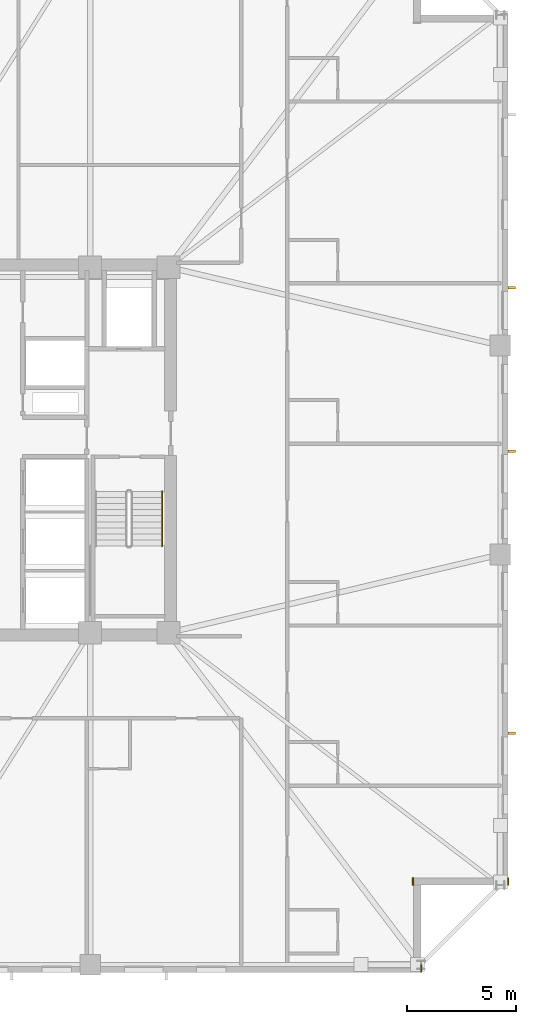
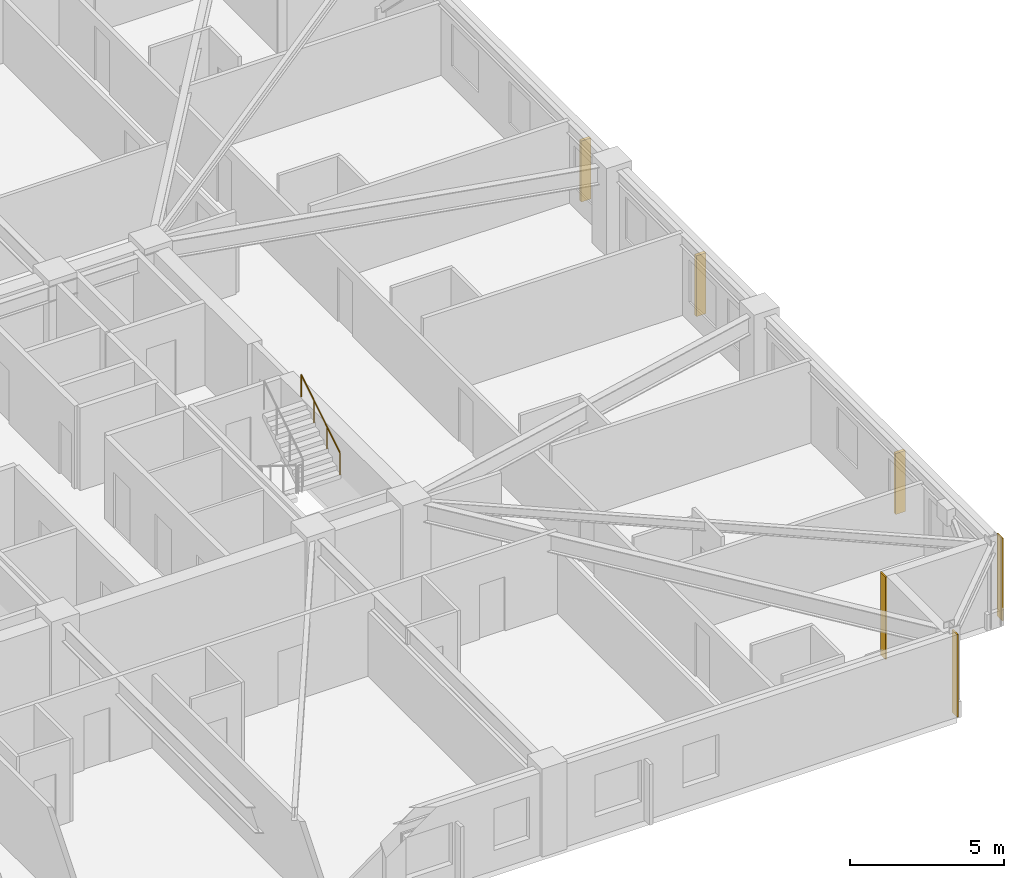
# One storey, part 9 of 11: 3 coverings, 3 shading devices, 1 railing.
"""IFC4 building model written with IfcOpenShell, lengths in metres."""

from ifc_helpers import new_model, si_unit, direction, frame, frame_2d, origin, origin_2d, place, context, subcontext, project, spatial, rectangle, circle, extrude, material, layer, layer_set, type_object, element, save


model = new_model("IFC4")

# Units and contexts
model_context = context("Model", 3, precision=1e-05, world=origin(), true_north=direction((0.0, 1.0)))
body_context = subcontext(model_context, "Body", "Model", "MODEL_VIEW")
ifc_project = project(units=[si_unit("LENGTHUNIT", "METRE"), si_unit("AREAUNIT", "SQUARE_METRE"), si_unit("VOLUMEUNIT", "CUBIC_METRE"), si_unit("PLANEANGLEUNIT", "RADIAN"), si_unit("MASSUNIT", "GRAM", prefix="KILO")], contexts=[model_context])

# Site, building, storey
site_placement = place(None, origin())
site = spatial("IfcSite", under=ifc_project, at=site_placement, CompositionType="ELEMENT")
building_placement = place(site_placement, origin())
building = spatial("IfcBuilding", under=site, at=building_placement, Name="Cairnveth Concourse Tower", CompositionType="ELEMENT")
storey_placement = place(building_placement, frame((0.0, 0.0, 130.5)))
storey = spatial("IfcBuildingStorey", under=building, at=storey_placement, Name="L35", CompositionType="ELEMENT", Elevation=130.5)

# Coverings
ifc_material_1 = material(Name="Dressed Melbourne Bluestone Cladding", Category="masonry")
ifc_layer = layer(ifc_material_1, 0.050048828125)
ifc_layer_set = layer_set([ifc_layer], Name="Dressed Melbourne Bluestone Cladding")
covering_type = type_object("IfcCoveringType", Name="DRESSED BLUESTONE PLINTH CLADDING 50", PredefinedType="CLADDING", material=ifc_layer_set)
for number, where, z_axis, x_axis, name in (
    (1, (76.02001953125, 19.340087890625, 0.0), (0.0, 0.0, 1.0), (0.0, -1.0, 0.0), "Melbourne Bluestone Corner Quoin L35-506"),
    (2, (71.639892578125, 19.340087890625, 0.0), (0.0, 0.0, 1.0), (0.0, -1.0, 0.0), "Melbourne Bluestone Corner Quoin L35-507"),
    (3, (72.02001953125, 15.340087890625, 0.0), (0.0, 0.0, 1.0), (0.0, -1.0, 0.0), "Melbourne Bluestone Corner Quoin L35-508"),
):
    element("IfcCovering", number, at=place(storey_placement, frame(where, z_axis=z_axis, x_axis=x_axis)), inside=storey, type_object=covering_type, Name=name, PredefinedType="CLADDING", context=body_context, shape_type="SweptSolid", body=[
        extrude(rectangle(XDim=0.340087890625, YDim=0.050048828125, at=frame_2d((0.169921875, 0.0))), origin(), (0.0, 0.0, 1.0), 3.280029296875),
    ])

# Shading devices
ifc_material_2 = material(Name="Architectural Bronze Anodised Aluminium 6063-T6", Category="aluminium")
shading_device_type = type_object("IfcShadingDeviceType", Name="GOTHIC BRONZE VERTICAL LANCET FIN", PredefinedType="USERDEFINED", material=ifc_material_2)
for number, where, z_axis, x_axis, name in (
    (4, (76.175048828125, 46.451171875, 0.030029296875), (0.0, 0.0, 1.0), (0.0, 1.0, 0.0), "Gothic Bronze Vertical Fin L35-6-3"),
    (5, (76.175048828125, 38.944091796875, 0.030029296875), (0.0, 0.0, 1.0), (0.0, 1.0, 0.0), "Gothic Bronze Vertical Fin L35-6-5"),
    (6, (76.175048828125, 25.979736328125, 0.030029296875), (0.0, 0.0, 1.0), (0.0, 1.0, 0.0), "Gothic Bronze Vertical Fin L35-6-9"),
):
    element("IfcShadingDevice", number, at=place(storey_placement, frame(where, z_axis=z_axis, x_axis=x_axis)), inside=storey, type_object=shading_device_type, Name=name, ObjectType="VERTICAL FIN", PredefinedType="USERDEFINED", context=body_context, shape_type="SweptSolid", body=[
        extrude(rectangle(XDim=0.1201171875, YDim=0.360107421875, at=origin_2d()), origin(), (0.0, 0.0, 1.0), 2.419921875),
    ])

# Railing
ifc_material_3 = material(Name="Steel Grade 350", Category="steel")
railing_type = type_object("IfcRailingType", Name="STAIR WALL HANDRAIL 900", PredefinedType="HANDRAIL", material=ifc_material_3)
railing_placement = place(storey_placement, frame((60.110107421875, 34.580078125, 1.925048828125)))
element("IfcRailing", 7, at=railing_placement, inside=storey, type_object=railing_type, Name="L35 ST-2 stair handrail 2", PredefinedType="HANDRAIL", context=body_context, shape_type="SweptSolid", body=[
    extrude(circle(Radius=0.02392578125, at=origin_2d()), frame((0.0, 0.0, 0.8759765625), z_axis=(0.0, 0.848007534815, 0.529984170421), x_axis=(-1.0, 0.0, 0.0)), (0.0, 0.0, 1.0), 2.9716796875),
    extrude(circle(Radius=0.02099609375, at=origin_2d()), origin(), (0.0, 0.0, 1.0), 0.851806640625),
    extrude(circle(Radius=0.02099609375, at=origin_2d()), frame((0.0, 0.840087890625, 0.52490234375)), (0.0, 0.0, 1.0), 0.851806640625),
    extrude(circle(Radius=0.02099609375, at=origin_2d()), frame((0.0, 1.679931640625, 1.050048828125)), (0.0, 0.0, 1.0), 0.851806640625),
    extrude(circle(Radius=0.02099609375, at=origin_2d()), frame((0.0, 2.52001953125, 1.574951171875)), (0.0, 0.0, 1.0), 0.851806640625),
])

save(model, "model.ifc")
